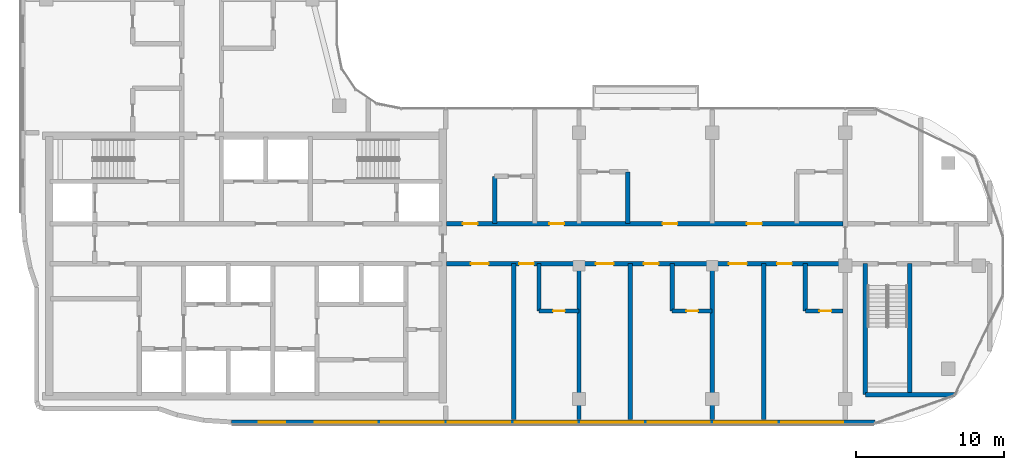
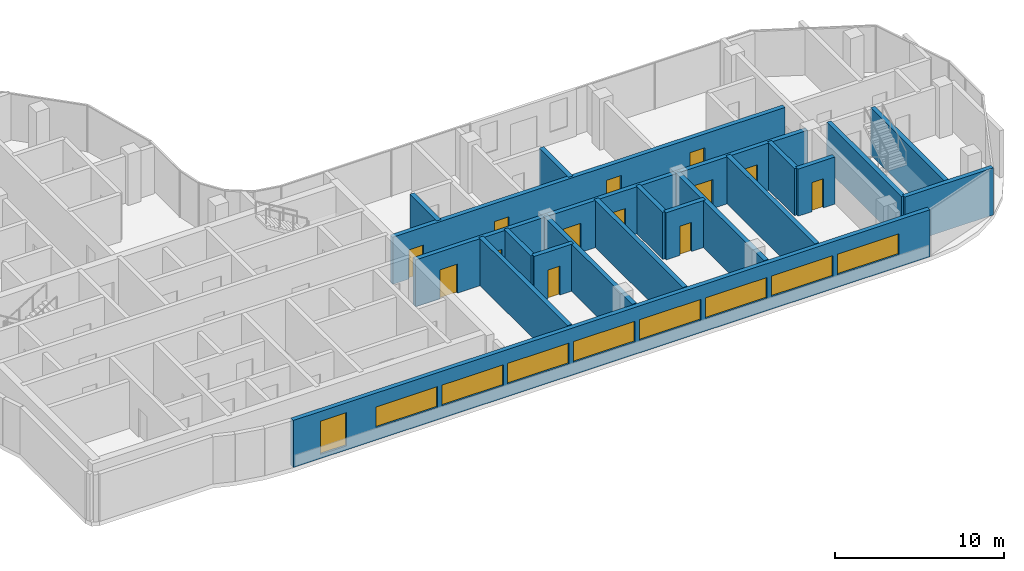
# One storey, part 11 of 19: 19 walls, 13 doors, 9 windows, 22 openings.
"""IFC4 building model written with IfcOpenShell, lengths in metres."""

from ifc_helpers import new_model, si_unit, direction, frame, frame_2d, origin, place, context, subcontext, project, spatial, rectangle, extrude, material, layer, layer_set, type_object, element, fill, save


model = new_model("IFC4")

# Units and contexts
model_context = context("Model", 3, precision=1e-05, world=origin(), true_north=direction((0.0, 1.0)))
body_context = subcontext(model_context, "Body", "Model", "MODEL_VIEW")
ifc_project = project(units=[si_unit("LENGTHUNIT", "METRE"), si_unit("AREAUNIT", "SQUARE_METRE"), si_unit("VOLUMEUNIT", "CUBIC_METRE"), si_unit("PLANEANGLEUNIT", "RADIAN"), si_unit("MASSUNIT", "GRAM", prefix="KILO")], contexts=[model_context])

# Site, building, storey
site_placement = place(None, origin())
site = spatial("IfcSite", under=ifc_project, at=site_placement, CompositionType="ELEMENT")
building_placement = place(site_placement, origin())
building = spatial("IfcBuilding", under=site, at=building_placement, Name="Ogive Portal Towers", CompositionType="ELEMENT")
storey_placement = place(building_placement, frame((0.0, 0.0, 199.5)))
storey = spatial("IfcBuildingStorey", under=building, at=storey_placement, Name="L49", CompositionType="ELEMENT", Elevation=199.5)

# Wall, openings, windows
ifc_material_1 = material(Name="Limestone cladding on lightweight block wall", Category="masonry")
ifc_layer_1 = layer(ifc_material_1, 0.300048828125)
ifc_layer_set_1 = layer_set([ifc_layer_1], Name="EXTERNAL WALL 300 STONE")
wall_type_1 = type_object("IfcWallType", Name="EXTERNAL WALL 300 STONE", PredefinedType="SOLIDWALL", material=ifc_layer_set_1)
wall_1_placement = place(storey_placement, frame((44.009765625, 19.93505859375, 0.0), z_axis=(0.0, 0.0, 1.0), x_axis=(1.0, 0.0, 0.0)))
wall_1 = element("IfcWall", 1, at=wall_1_placement, inside=storey, type_object=wall_type_1, Name="A:L49:f07:r0:wall", PredefinedType="SOLIDWALL", context=body_context, shape_type="SweptSolid", body=[
    extrude(rectangle(XDim=43.4765625, YDim=0.300048828125, at=frame_2d((21.73828125, 0.0))), origin(), (0.0, 0.0, 1.0), 3.39990234375),
])
opening_1_placement = place(wall_1_placement, frame((1.844970703125, 0.0, 0.300048828125)))
opening_1 = element("IfcOpeningElement", 2, at=opening_1_placement, cuts=wall_1, Name="Opening WN10", PredefinedType="OPENING", context=body_context, shape_type="SweptSolid", body=[
    extrude(rectangle(XDim=1.800048828125, YDim=2.39990234375, at=frame_2d((0.89990234375, 1.199951171875))), frame((0.0, 0.16015625, 0.0), z_axis=(0.0, -1.0, 0.0), x_axis=(1.0, 0.0, 0.0)), (0.0, 0.0, 1.0), 0.320068359375),
])
opening_2_placement = place(wall_1_placement, frame((5.64013671875, 0.0, 0.89990234375)))
opening_2 = element("IfcOpeningElement", 3, at=opening_2_placement, cuts=wall_1, Name="Opening WN11", PredefinedType="OPENING", context=body_context, shape_type="SweptSolid", body=[
    extrude(rectangle(XDim=4.199951171875, YDim=1.5, at=frame_2d((2.10009765625, 0.75))), frame((0.0, 0.16015625, 0.0), z_axis=(0.0, -1.0, 0.0), x_axis=(1.0, 0.0, 0.0)), (0.0, 0.0, 1.0), 0.320068359375),
])
opening_3_placement = place(wall_1_placement, frame((10.14013671875, 0.0, 0.89990234375)))
opening_3 = element("IfcOpeningElement", 4, at=opening_3_placement, cuts=wall_1, Name="Opening WN11", PredefinedType="OPENING", context=body_context, shape_type="SweptSolid", body=[
    extrude(rectangle(XDim=4.199951171875, YDim=1.5, at=frame_2d((2.10009765625, 0.75))), frame((0.0, 0.16015625, 0.0), z_axis=(0.0, -1.0, 0.0), x_axis=(1.0, 0.0, 0.0)), (0.0, 0.0, 1.0), 0.320068359375),
])
opening_4_placement = place(wall_1_placement, frame((14.64013671875, 0.0, 0.89990234375)))
opening_4 = element("IfcOpeningElement", 5, at=opening_4_placement, cuts=wall_1, Name="Opening WN11", PredefinedType="OPENING", context=body_context, shape_type="SweptSolid", body=[
    extrude(rectangle(XDim=4.199951171875, YDim=1.5, at=frame_2d((2.10009765625, 0.75))), frame((0.0, 0.16015625, 0.0), z_axis=(0.0, -1.0, 0.0), x_axis=(1.0, 0.0, 0.0)), (0.0, 0.0, 1.0), 0.320068359375),
])
opening_5_placement = place(wall_1_placement, frame((19.14013671875, 0.0, 0.89990234375)))
opening_5 = element("IfcOpeningElement", 6, at=opening_5_placement, cuts=wall_1, Name="Opening WN11", PredefinedType="OPENING", context=body_context, shape_type="SweptSolid", body=[
    extrude(rectangle(XDim=4.199951171875, YDim=1.5, at=frame_2d((2.10009765625, 0.75))), frame((0.0, 0.16015625, 0.0), z_axis=(0.0, -1.0, 0.0), x_axis=(1.0, 0.0, 0.0)), (0.0, 0.0, 1.0), 0.320068359375),
])
opening_6_placement = place(wall_1_placement, frame((23.64013671875, 0.0, 0.89990234375)))
opening_6 = element("IfcOpeningElement", 7, at=opening_6_placement, cuts=wall_1, Name="Opening WN11", PredefinedType="OPENING", context=body_context, shape_type="SweptSolid", body=[
    extrude(rectangle(XDim=4.199951171875, YDim=1.5, at=frame_2d((2.10009765625, 0.75))), frame((0.0, 0.16015625, 0.0), z_axis=(0.0, -1.0, 0.0), x_axis=(1.0, 0.0, 0.0)), (0.0, 0.0, 1.0), 0.320068359375),
])
opening_7_placement = place(wall_1_placement, frame((28.14013671875, 0.0, 0.89990234375)))
opening_7 = element("IfcOpeningElement", 8, at=opening_7_placement, cuts=wall_1, Name="Opening WN11", PredefinedType="OPENING", context=body_context, shape_type="SweptSolid", body=[
    extrude(rectangle(XDim=4.199951171875, YDim=1.5, at=frame_2d((2.10009765625, 0.75))), frame((0.0, 0.16015625, 0.0), z_axis=(0.0, -1.0, 0.0), x_axis=(1.0, 0.0, 0.0)), (0.0, 0.0, 1.0), 0.320068359375),
])
opening_8_placement = place(wall_1_placement, frame((32.64013671875, 0.0, 0.89990234375)))
opening_8 = element("IfcOpeningElement", 9, at=opening_8_placement, cuts=wall_1, Name="Opening WN11", PredefinedType="OPENING", context=body_context, shape_type="SweptSolid", body=[
    extrude(rectangle(XDim=4.199951171875, YDim=1.5, at=frame_2d((2.10009765625, 0.75))), frame((0.0, 0.16015625, 0.0), z_axis=(0.0, -1.0, 0.0), x_axis=(1.0, 0.0, 0.0)), (0.0, 0.0, 1.0), 0.320068359375),
])
opening_9_placement = place(wall_1_placement, frame((37.14013671875, 0.0, 0.89990234375)))
opening_9 = element("IfcOpeningElement", 10, at=opening_9_placement, cuts=wall_1, Name="Opening WN11", PredefinedType="OPENING", context=body_context, shape_type="SweptSolid", body=[
    extrude(rectangle(XDim=4.199951171875, YDim=1.5, at=frame_2d((2.10009765625, 0.75))), frame((0.0, 0.16015625, 0.0), z_axis=(0.0, -1.0, 0.0), x_axis=(1.0, 0.0, 0.0)), (0.0, 0.0, 1.0), 0.320068359375),
])
ifc_material_2 = material(Name="Glass, clear low-iron insulated glazing", Category="glass")
window_type_1 = type_object("IfcWindowType", Name="WINDOW RIBBON 4200x1500", PartitioningType="TRIPLE_PANEL_VERTICAL", PredefinedType="WINDOW", material=ifc_material_2)
window_1_placement = place(opening_2_placement, origin())
window_1 = element("IfcWindow", 11, at=window_1_placement, inside=storey, type_object=window_type_1, Name="A:L49:f07:r0:w1", OverallHeight=1.5, OverallWidth=4.199951171875, PartitioningType="SINGLE_PANEL", PredefinedType="WINDOW", context=body_context, shape_type="SweptSolid", body=[
    extrude(rectangle(XDim=4.199951171875, YDim=1.5, at=frame_2d((2.10009765625, 0.75))), frame((0.0, 0.030029296875, 0.0), z_axis=(0.0, -1.0, 0.0), x_axis=(1.0, 0.0, 0.0)), (0.0, 0.0, 1.0), 0.06005859375),
])
fill(opening_2, window_1)
window_2_placement = place(opening_3_placement, origin())
window_2 = element("IfcWindow", 12, at=window_2_placement, inside=storey, type_object=window_type_1, Name="A:L49:f07:r0:w2", OverallHeight=1.5, OverallWidth=4.199951171875, PartitioningType="SINGLE_PANEL", PredefinedType="WINDOW", context=body_context, shape_type="SweptSolid", body=[
    extrude(rectangle(XDim=4.199951171875, YDim=1.5, at=frame_2d((2.10009765625, 0.75))), frame((0.0, 0.030029296875, 0.0), z_axis=(0.0, -1.0, 0.0), x_axis=(1.0, 0.0, 0.0)), (0.0, 0.0, 1.0), 0.06005859375),
])
fill(opening_3, window_2)
window_3_placement = place(opening_4_placement, origin())
window_3 = element("IfcWindow", 13, at=window_3_placement, inside=storey, type_object=window_type_1, Name="A:L49:f07:r0:w3", OverallHeight=1.5, OverallWidth=4.199951171875, PartitioningType="SINGLE_PANEL", PredefinedType="WINDOW", context=body_context, shape_type="SweptSolid", body=[
    extrude(rectangle(XDim=4.199951171875, YDim=1.5, at=frame_2d((2.10009765625, 0.75))), frame((0.0, 0.030029296875, 0.0), z_axis=(0.0, -1.0, 0.0), x_axis=(1.0, 0.0, 0.0)), (0.0, 0.0, 1.0), 0.06005859375),
])
fill(opening_4, window_3)
window_4_placement = place(opening_5_placement, origin())
window_4 = element("IfcWindow", 14, at=window_4_placement, inside=storey, type_object=window_type_1, Name="A:L49:f07:r0:w4", OverallHeight=1.5, OverallWidth=4.199951171875, PartitioningType="SINGLE_PANEL", PredefinedType="WINDOW", context=body_context, shape_type="SweptSolid", body=[
    extrude(rectangle(XDim=4.199951171875, YDim=1.5, at=frame_2d((2.10009765625, 0.75))), frame((0.0, 0.030029296875, 0.0), z_axis=(0.0, -1.0, 0.0), x_axis=(1.0, 0.0, 0.0)), (0.0, 0.0, 1.0), 0.06005859375),
])
fill(opening_5, window_4)
window_5_placement = place(opening_6_placement, origin())
window_5 = element("IfcWindow", 15, at=window_5_placement, inside=storey, type_object=window_type_1, Name="A:L49:f07:r0:w5", OverallHeight=1.5, OverallWidth=4.199951171875, PartitioningType="SINGLE_PANEL", PredefinedType="WINDOW", context=body_context, shape_type="SweptSolid", body=[
    extrude(rectangle(XDim=4.199951171875, YDim=1.5, at=frame_2d((2.10009765625, 0.75))), frame((0.0, 0.030029296875, 0.0), z_axis=(0.0, -1.0, 0.0), x_axis=(1.0, 0.0, 0.0)), (0.0, 0.0, 1.0), 0.06005859375),
])
fill(opening_6, window_5)
window_6_placement = place(opening_7_placement, origin())
window_6 = element("IfcWindow", 16, at=window_6_placement, inside=storey, type_object=window_type_1, Name="A:L49:f07:r0:w6", OverallHeight=1.5, OverallWidth=4.199951171875, PartitioningType="SINGLE_PANEL", PredefinedType="WINDOW", context=body_context, shape_type="SweptSolid", body=[
    extrude(rectangle(XDim=4.199951171875, YDim=1.5, at=frame_2d((2.10009765625, 0.75))), frame((0.0, 0.030029296875, 0.0), z_axis=(0.0, -1.0, 0.0), x_axis=(1.0, 0.0, 0.0)), (0.0, 0.0, 1.0), 0.06005859375),
])
fill(opening_7, window_6)
window_7_placement = place(opening_8_placement, origin())
window_7 = element("IfcWindow", 17, at=window_7_placement, inside=storey, type_object=window_type_1, Name="A:L49:f07:r0:w7", OverallHeight=1.5, OverallWidth=4.199951171875, PartitioningType="SINGLE_PANEL", PredefinedType="WINDOW", context=body_context, shape_type="SweptSolid", body=[
    extrude(rectangle(XDim=4.199951171875, YDim=1.5, at=frame_2d((2.10009765625, 0.75))), frame((0.0, 0.030029296875, 0.0), z_axis=(0.0, -1.0, 0.0), x_axis=(1.0, 0.0, 0.0)), (0.0, 0.0, 1.0), 0.06005859375),
])
fill(opening_8, window_7)
window_8_placement = place(opening_9_placement, origin())
window_8 = element("IfcWindow", 18, at=window_8_placement, inside=storey, type_object=window_type_1, Name="A:L49:f07:r0:w8", OverallHeight=1.5, OverallWidth=4.199951171875, PartitioningType="SINGLE_PANEL", PredefinedType="WINDOW", context=body_context, shape_type="SweptSolid", body=[
    extrude(rectangle(XDim=4.199951171875, YDim=1.5, at=frame_2d((2.10009765625, 0.75))), frame((0.0, 0.030029296875, 0.0), z_axis=(0.0, -1.0, 0.0), x_axis=(1.0, 0.0, 0.0)), (0.0, 0.0, 1.0), 0.06005859375),
])
fill(opening_9, window_8)
window_type_2 = type_object("IfcWindowType", Name="WINDOW SUITE CORNER 1800x2400", PartitioningType="DOUBLE_PANEL_VERTICAL", PredefinedType="WINDOW", material=ifc_material_2)
window_9_placement = place(opening_1_placement, origin())
window_9 = element("IfcWindow", 19, at=window_9_placement, inside=storey, type_object=window_type_2, Name="A:L49:f07:r0:w0", OverallHeight=2.39990234375, OverallWidth=1.800048828125, PartitioningType="SINGLE_PANEL", PredefinedType="WINDOW", context=body_context, shape_type="SweptSolid", body=[
    extrude(rectangle(XDim=1.800048828125, YDim=2.39990234375, at=frame_2d((0.89990234375, 1.199951171875))), frame((0.0, 0.030029296875, 0.0), z_axis=(0.0, -1.0, 0.0), x_axis=(1.0, 0.0, 0.0)), (0.0, 0.0, 1.0), 0.06005859375),
])
fill(opening_1, window_9)

# Walls
ifc_material_3 = material(Name="Concrete C50/60", Category="concrete")
ifc_layer_2 = layer(ifc_material_3, 0.300048828125)
ifc_layer_set_2 = layer_set([ifc_layer_2], Name="STAIR WALL 300 C50")
wall_type_2 = type_object("IfcWallType", Name="STAIR WALL 300 C50", PredefinedType="SHEAR", material=ifc_layer_set_2)
wall_2_placement = place(storey_placement, frame((86.85009765625, 21.800048828125, 0.0), z_axis=(0.0, 0.0, 1.0), x_axis=(1.0, 0.0, 0.0)))
element("IfcWall", 20, at=wall_2_placement, inside=storey, type_object=wall_type_2, Name="Stair wall ST-A4 L49", PredefinedType="SHEAR", context=body_context, shape_type="SweptSolid", body=[
    extrude(rectangle(XDim=6.0458984375, YDim=0.300048828125, at=frame_2d((3.02294921875, 0.0))), origin(), (0.0, 0.0, 1.0), 3.39990234375),
])
for number, where, z_axis, x_axis, name in (
    (21, (86.85009765625, 21.800048828125, 0.0), (0.0, 0.0, 1.0), (0.0, 1.0, 0.0), "Stair wall ST-A4 L49"),
    (22, (89.85009765625, 21.800048828125, 0.0), (0.0, 0.0, 1.0), (0.0, 1.0, 0.0), "Stair wall ST-A4 L49"),
):
    element("IfcWall", number, at=place(storey_placement, frame(where, z_axis=z_axis, x_axis=x_axis)), inside=storey, type_object=wall_type_2, Name=name, PredefinedType="SHEAR", context=body_context, shape_type="SweptSolid", body=[
        extrude(rectangle(XDim=8.849853515625, YDim=0.300048828125, at=frame_2d((4.4248046875, 0.0))), origin(), (0.0, 0.0, 1.0), 3.39990234375),
    ])

# Wall, openings, doors
ifc_material_4 = material(Name="Gypsum board partition on steel studs", Category="steel")
ifc_layer_3 = layer(ifc_material_4, 0.300048828125)
ifc_layer_set_3 = layer_set([ifc_layer_3], Name="WT-PART-300-EI 120")
wall_type_3 = type_object("IfcWallType", Name="WT-PART-300-EI 120", PredefinedType="PARTITIONING", material=ifc_layer_set_3)
wall_3_placement = place(storey_placement, frame((58.550048828125, 30.64990234375, 0.0), z_axis=(0.0, 0.0, 1.0), x_axis=(1.0, 0.0, 0.0)))
wall_3 = element("IfcWall", 23, at=wall_3_placement, inside=storey, type_object=wall_type_3, Name="Wall L49:w005", PredefinedType="PARTITIONING", context=body_context, shape_type="SweptSolid", body=[
    extrude(rectangle(XDim=26.780029296875, YDim=0.300048828125, at=frame_2d((13.39013671875, 0.0))), origin(), (0.0, 0.0, 1.0), 3.39990234375),
])
opening_10_placement = place(wall_3_placement, frame((1.64990234375, 0.0, 0.0)))
opening_10 = element("IfcOpeningElement", 24, at=opening_10_placement, cuts=wall_3, Name="Opening D22-029", PredefinedType="OPENING", context=body_context, shape_type="SweptSolid", body=[
    extrude(rectangle(XDim=1.199951171875, YDim=2.10009765625, at=frame_2d((0.60009765625, 1.050048828125))), frame((0.0, 0.16015625, 0.0), z_axis=(0.0, -1.0, 0.0), x_axis=(1.0, 0.0, 0.0)), (0.0, 0.0, 1.0), 0.320068359375),
])
opening_11_placement = place(wall_3_placement, frame((4.89990234375, 0.0, 0.0)))
opening_11 = element("IfcOpeningElement", 25, at=opening_11_placement, cuts=wall_3, Name="Opening D22-031", PredefinedType="OPENING", context=body_context, shape_type="SweptSolid", body=[
    extrude(rectangle(XDim=1.0, YDim=2.10009765625, at=frame_2d((0.5, 1.050048828125))), frame((0.0, 0.16015625, 0.0), z_axis=(0.0, -1.0, 0.0), x_axis=(1.0, 0.0, 0.0)), (0.0, 0.0, 1.0), 0.320068359375),
])
opening_12_placement = place(wall_3_placement, frame((10.0849609375, 0.0, 0.0)))
opening_12 = element("IfcOpeningElement", 26, at=opening_12_placement, cuts=wall_3, Name="Opening D22-034", PredefinedType="OPENING", context=body_context, shape_type="SweptSolid", body=[
    extrude(rectangle(XDim=1.199951171875, YDim=2.10009765625, at=frame_2d((0.60009765625, 1.050048828125))), frame((0.0, 0.16015625, 0.0), z_axis=(0.0, -1.0, 0.0), x_axis=(1.0, 0.0, 0.0)), (0.0, 0.0, 1.0), 0.320068359375),
])
opening_13_placement = place(wall_3_placement, frame((13.3349609375, 0.0, 0.0)))
opening_13 = element("IfcOpeningElement", 27, at=opening_13_placement, cuts=wall_3, Name="Opening D22-036", PredefinedType="OPENING", context=body_context, shape_type="SweptSolid", body=[
    extrude(rectangle(XDim=1.0, YDim=2.10009765625, at=frame_2d((0.5, 1.050048828125))), frame((0.0, 0.16015625, 0.0), z_axis=(0.0, -1.0, 0.0), x_axis=(1.0, 0.0, 0.0)), (0.0, 0.0, 1.0), 0.320068359375),
])
opening_14_placement = place(wall_3_placement, frame((19.0849609375, 0.0, 0.0)))
opening_14 = element("IfcOpeningElement", 28, at=opening_14_placement, cuts=wall_3, Name="Opening D22-039", PredefinedType="OPENING", context=body_context, shape_type="SweptSolid", body=[
    extrude(rectangle(XDim=1.199951171875, YDim=2.10009765625, at=frame_2d((0.60009765625, 1.050048828125))), frame((0.0, 0.16015625, 0.0), z_axis=(0.0, -1.0, 0.0), x_axis=(1.0, 0.0, 0.0)), (0.0, 0.0, 1.0), 0.320068359375),
])
opening_15_placement = place(wall_3_placement, frame((22.3349609375, 0.0, 0.0)))
opening_15 = element("IfcOpeningElement", 29, at=opening_15_placement, cuts=wall_3, Name="Opening D22-041", PredefinedType="OPENING", context=body_context, shape_type="SweptSolid", body=[
    extrude(rectangle(XDim=1.0, YDim=2.10009765625, at=frame_2d((0.5, 1.050048828125))), frame((0.0, 0.16015625, 0.0), z_axis=(0.0, -1.0, 0.0), x_axis=(1.0, 0.0, 0.0)), (0.0, 0.0, 1.0), 0.320068359375),
])
ifc_material_5 = material(Name="Steel fire door", Category="steel")
door_type_1 = type_object("IfcDoorType", Name="DT-ENTRY-1000x2100-FD90S", OperationType="SINGLE_SWING_LEFT", PredefinedType="DOOR", material=ifc_material_5)
door_1_placement = place(opening_11_placement, origin())
door_1 = element("IfcDoor", 30, at=door_1_placement, inside=storey, type_object=door_type_1, Name="Door D22-031", OperationType="SINGLE_SWING_LEFT", OverallHeight=2.10009765625, OverallWidth=1.0, PredefinedType="DOOR", context=body_context, shape_type="SweptSolid", body=[
    extrude(rectangle(XDim=1.0, YDim=2.10009765625, at=frame_2d((0.5, 1.050048828125))), frame((0.0, 0.02490234375, 0.0), z_axis=(0.0, -1.0, 0.0), x_axis=(1.0, 0.0, 0.0)), (0.0, 0.0, 1.0), 0.050048828125),
])
fill(opening_11, door_1)
door_2_placement = place(opening_13_placement, origin())
door_2 = element("IfcDoor", 31, at=door_2_placement, inside=storey, type_object=door_type_1, Name="Door D22-036", OperationType="SINGLE_SWING_LEFT", OverallHeight=2.10009765625, OverallWidth=1.0, PredefinedType="DOOR", context=body_context, shape_type="SweptSolid", body=[
    extrude(rectangle(XDim=1.0, YDim=2.10009765625, at=frame_2d((0.5, 1.050048828125))), frame((0.0, 0.02490234375, 0.0), z_axis=(0.0, -1.0, 0.0), x_axis=(1.0, 0.0, 0.0)), (0.0, 0.0, 1.0), 0.050048828125),
])
fill(opening_13, door_2)
door_3_placement = place(opening_15_placement, origin())
door_3 = element("IfcDoor", 32, at=door_3_placement, inside=storey, type_object=door_type_1, Name="Door D22-041", OperationType="SINGLE_SWING_RIGHT", OverallHeight=2.10009765625, OverallWidth=1.0, PredefinedType="DOOR", context=body_context, shape_type="SweptSolid", body=[
    extrude(rectangle(XDim=1.0, YDim=2.10009765625, at=frame_2d((0.5, 1.050048828125))), frame((0.0, 0.02490234375, 0.0), z_axis=(0.0, -1.0, 0.0), x_axis=(1.0, 0.0, 0.0)), (0.0, 0.0, 1.0), 0.050048828125),
])
fill(opening_15, door_3)
door_type_2 = type_object("IfcDoorType", Name="DT-ENTRY-1200x2100-FD90S", OperationType="SINGLE_SWING_LEFT", PredefinedType="DOOR", material=ifc_material_5)
door_4_placement = place(opening_10_placement, origin())
door_4 = element("IfcDoor", 33, at=door_4_placement, inside=storey, type_object=door_type_2, Name="Door D22-029", OperationType="SINGLE_SWING_LEFT", OverallHeight=2.10009765625, OverallWidth=1.199951171875, PredefinedType="DOOR", context=body_context, shape_type="SweptSolid", body=[
    extrude(rectangle(XDim=1.199951171875, YDim=2.10009765625, at=frame_2d((0.60009765625, 1.050048828125))), frame((0.0, 0.02490234375, 0.0), z_axis=(0.0, -1.0, 0.0), x_axis=(1.0, 0.0, 0.0)), (0.0, 0.0, 1.0), 0.050048828125),
])
fill(opening_10, door_4)
door_5_placement = place(opening_12_placement, origin())
door_5 = element("IfcDoor", 34, at=door_5_placement, inside=storey, type_object=door_type_2, Name="Door D22-034", OperationType="SINGLE_SWING_RIGHT", OverallHeight=2.10009765625, OverallWidth=1.199951171875, PredefinedType="DOOR", context=body_context, shape_type="SweptSolid", body=[
    extrude(rectangle(XDim=1.199951171875, YDim=2.10009765625, at=frame_2d((0.60009765625, 1.050048828125))), frame((0.0, 0.02490234375, 0.0), z_axis=(0.0, -1.0, 0.0), x_axis=(1.0, 0.0, 0.0)), (0.0, 0.0, 1.0), 0.050048828125),
])
fill(opening_12, door_5)
door_6_placement = place(opening_14_placement, origin())
door_6 = element("IfcDoor", 35, at=door_6_placement, inside=storey, type_object=door_type_2, Name="Door D22-039", OperationType="SINGLE_SWING_LEFT", OverallHeight=2.10009765625, OverallWidth=1.199951171875, PredefinedType="DOOR", context=body_context, shape_type="SweptSolid", body=[
    extrude(rectangle(XDim=1.199951171875, YDim=2.10009765625, at=frame_2d((0.60009765625, 1.050048828125))), frame((0.0, 0.02490234375, 0.0), z_axis=(0.0, -1.0, 0.0), x_axis=(1.0, 0.0, 0.0)), (0.0, 0.0, 1.0), 0.050048828125),
])
fill(opening_14, door_6)

wall_4_placement = place(storey_placement, frame((58.550048828125, 33.35009765625, 0.0), z_axis=(0.0, 0.0, 1.0), x_axis=(1.0, 0.0, 0.0)))
wall_4 = element("IfcWall", 36, at=wall_4_placement, inside=storey, type_object=wall_type_3, Name="Wall L49:w007", PredefinedType="PARTITIONING", context=body_context, shape_type="SweptSolid", body=[
    extrude(rectangle(XDim=26.780029296875, YDim=0.300048828125, at=frame_2d((13.39013671875, 0.0))), origin(), (0.0, 0.0, 1.0), 3.39990234375),
])
opening_16_placement = place(wall_4_placement, frame((1.10009765625, 0.0, 0.0)))
opening_16 = element("IfcOpeningElement", 37, at=opening_16_placement, cuts=wall_4, Name="Opening D22-027", PredefinedType="OPENING", context=body_context, shape_type="SweptSolid", body=[
    extrude(rectangle(XDim=1.0, YDim=2.10009765625, at=frame_2d((0.5, 1.050048828125))), frame((0.0, 0.16015625, 0.0), z_axis=(0.0, -1.0, 0.0), x_axis=(1.0, 0.0, 0.0)), (0.0, 0.0, 1.0), 0.320068359375),
])
opening_17_placement = place(wall_4_placement, frame((6.949951171875, 0.0, 0.0)))
opening_17 = element("IfcOpeningElement", 38, at=opening_17_placement, cuts=wall_4, Name="Opening D22-028", PredefinedType="OPENING", context=body_context, shape_type="SweptSolid", body=[
    extrude(rectangle(XDim=1.0, YDim=2.10009765625, at=frame_2d((0.5, 1.050048828125))), frame((0.0, 0.16015625, 0.0), z_axis=(0.0, -1.0, 0.0), x_axis=(1.0, 0.0, 0.0)), (0.0, 0.0, 1.0), 0.320068359375),
])
opening_18_placement = place(wall_4_placement, frame((14.60009765625, 0.0, 0.0)))
opening_18 = element("IfcOpeningElement", 39, at=opening_18_placement, cuts=wall_4, Name="Opening D22-033", PredefinedType="OPENING", context=body_context, shape_type="SweptSolid", body=[
    extrude(rectangle(XDim=1.0, YDim=2.39990234375, at=frame_2d((0.5, 1.199951171875))), frame((0.0, 0.16015625, 0.0), z_axis=(0.0, -1.0, 0.0), x_axis=(1.0, 0.0, 0.0)), (0.0, 0.0, 1.0), 0.320068359375),
])
opening_19_placement = place(wall_4_placement, frame((20.300048828125, 0.0, 0.0)))
opening_19 = element("IfcOpeningElement", 40, at=opening_19_placement, cuts=wall_4, Name="Opening D22-038", PredefinedType="OPENING", context=body_context, shape_type="SweptSolid", body=[
    extrude(rectangle(XDim=1.0, YDim=2.39990234375, at=frame_2d((0.5, 1.199951171875))), frame((0.0, 0.16015625, 0.0), z_axis=(0.0, -1.0, 0.0), x_axis=(1.0, 0.0, 0.0)), (0.0, 0.0, 1.0), 0.320068359375),
])
door_7_placement = place(opening_16_placement, origin())
door_7 = element("IfcDoor", 41, at=door_7_placement, inside=storey, type_object=door_type_1, Name="Door D22-027", OperationType="SINGLE_SWING_LEFT", OverallHeight=2.10009765625, OverallWidth=1.0, PredefinedType="DOOR", context=body_context, shape_type="SweptSolid", body=[
    extrude(rectangle(XDim=1.0, YDim=2.10009765625, at=frame_2d((0.5, 1.050048828125))), frame((0.0, 0.02490234375, 0.0), z_axis=(0.0, -1.0, 0.0), x_axis=(1.0, 0.0, 0.0)), (0.0, 0.0, 1.0), 0.050048828125),
])
fill(opening_16, door_7)
door_8_placement = place(opening_17_placement, origin())
door_8 = element("IfcDoor", 42, at=door_8_placement, inside=storey, type_object=door_type_1, Name="Door D22-028", OperationType="SINGLE_SWING_RIGHT", OverallHeight=2.10009765625, OverallWidth=1.0, PredefinedType="DOOR", context=body_context, shape_type="SweptSolid", body=[
    extrude(rectangle(XDim=1.0, YDim=2.10009765625, at=frame_2d((0.5, 1.050048828125))), frame((0.0, 0.02490234375, 0.0), z_axis=(0.0, -1.0, 0.0), x_axis=(1.0, 0.0, 0.0)), (0.0, 0.0, 1.0), 0.050048828125),
])
fill(opening_17, door_8)
door_type_3 = type_object("IfcDoorType", Name="DT-ENTRY-1000x2400-FD90S", OperationType="SINGLE_SWING_LEFT", PredefinedType="DOOR", material=ifc_material_5)
door_9_placement = place(opening_18_placement, origin())
door_9 = element("IfcDoor", 43, at=door_9_placement, inside=storey, type_object=door_type_3, Name="Door D22-033", OperationType="SINGLE_SWING_LEFT", OverallHeight=2.39990234375, OverallWidth=1.0, PredefinedType="DOOR", context=body_context, shape_type="SweptSolid", body=[
    extrude(rectangle(XDim=1.0, YDim=2.39990234375, at=frame_2d((0.5, 1.199951171875))), frame((0.0, 0.02490234375, 0.0), z_axis=(0.0, -1.0, 0.0), x_axis=(1.0, 0.0, 0.0)), (0.0, 0.0, 1.0), 0.050048828125),
])
fill(opening_18, door_9)
door_10_placement = place(opening_19_placement, origin())
door_10 = element("IfcDoor", 44, at=door_10_placement, inside=storey, type_object=door_type_3, Name="Door D22-038", OperationType="SINGLE_SWING_RIGHT", OverallHeight=2.39990234375, OverallWidth=1.0, PredefinedType="DOOR", context=body_context, shape_type="SweptSolid", body=[
    extrude(rectangle(XDim=1.0, YDim=2.39990234375, at=frame_2d((0.5, 1.199951171875))), frame((0.0, 0.02490234375, 0.0), z_axis=(0.0, -1.0, 0.0), x_axis=(1.0, 0.0, 0.0)), (0.0, 0.0, 1.0), 0.050048828125),
])
fill(opening_19, door_10)

# Wall, opening, door
ifc_layer_4 = layer(ifc_material_4, 0.300048828125)
ifc_layer_set_4 = layer_set([ifc_layer_4], Name="WT-PART-300-EI 60")
wall_type_4 = type_object("IfcWallType", Name="WT-PART-300-EI 60", PredefinedType="PARTITIONING", material=ifc_layer_set_4)
wall_5_placement = place(storey_placement, frame((64.800048828125, 27.449951171875, 0.0), z_axis=(0.0, 0.0, 1.0), x_axis=(1.0, 0.0, 0.0)))
wall_5 = element("IfcWall", 45, at=wall_5_placement, inside=storey, type_object=wall_type_4, Name="Wall L49:w002", PredefinedType="PARTITIONING", context=body_context, shape_type="SweptSolid", body=[
    extrude(rectangle(XDim=2.699951171875, YDim=0.300048828125, at=frame_2d((1.35009765625, 0.0))), origin(), (0.0, 0.0, 1.0), 3.39990234375),
])
opening_20_placement = place(wall_5_placement, frame((0.949951171875, 0.0, 0.0)))
opening_20 = element("IfcOpeningElement", 46, at=opening_20_placement, cuts=wall_5, Name="Opening D22-030", PredefinedType="OPENING", context=body_context, shape_type="SweptSolid", body=[
    extrude(rectangle(XDim=0.800048828125, YDim=2.10009765625, at=frame_2d((0.39990234375, 1.050048828125))), frame((0.0, 0.16015625, 0.0), z_axis=(0.0, -1.0, 0.0), x_axis=(1.0, 0.0, 0.0)), (0.0, 0.0, 1.0), 0.320068359375),
])
door_type_4 = type_object("IfcDoorType", Name="DT-BATH-800x2100-FD60S", OperationType="SINGLE_SWING_LEFT", PredefinedType="DOOR", material=ifc_material_5)
door_11_placement = place(opening_20_placement, origin())
door_11 = element("IfcDoor", 47, at=door_11_placement, inside=storey, type_object=door_type_4, Name="Door D22-030", OperationType="SINGLE_SWING_RIGHT", OverallHeight=2.10009765625, OverallWidth=0.800048828125, PredefinedType="DOOR", context=body_context, shape_type="SweptSolid", body=[
    extrude(rectangle(XDim=0.800048828125, YDim=2.10009765625, at=frame_2d((0.39990234375, 1.050048828125))), frame((0.0, 0.02490234375, 0.0), z_axis=(0.0, -1.0, 0.0), x_axis=(1.0, 0.0, 0.0)), (0.0, 0.0, 1.0), 0.050048828125),
])
fill(opening_20, door_11)

wall_6_placement = place(storey_placement, frame((73.800048828125, 27.449951171875, 0.0), z_axis=(0.0, 0.0, 1.0), x_axis=(1.0, 0.0, 0.0)))
wall_6 = element("IfcWall", 48, at=wall_6_placement, inside=storey, type_object=wall_type_4, Name="Wall L49:w003", PredefinedType="PARTITIONING", context=body_context, shape_type="SweptSolid", body=[
    extrude(rectangle(XDim=2.699951171875, YDim=0.300048828125, at=frame_2d((1.35009765625, 0.0))), origin(), (0.0, 0.0, 1.0), 3.39990234375),
])
opening_21_placement = place(wall_6_placement, frame((0.949951171875, 0.0, 0.0)))
opening_21 = element("IfcOpeningElement", 49, at=opening_21_placement, cuts=wall_6, Name="Opening D22-035", PredefinedType="OPENING", context=body_context, shape_type="SweptSolid", body=[
    extrude(rectangle(XDim=0.800048828125, YDim=2.10009765625, at=frame_2d((0.39990234375, 1.050048828125))), frame((0.0, 0.16015625, 0.0), z_axis=(0.0, -1.0, 0.0), x_axis=(1.0, 0.0, 0.0)), (0.0, 0.0, 1.0), 0.320068359375),
])
door_12_placement = place(opening_21_placement, origin())
door_12 = element("IfcDoor", 50, at=door_12_placement, inside=storey, type_object=door_type_4, Name="Door D22-035", OperationType="SINGLE_SWING_LEFT", OverallHeight=2.10009765625, OverallWidth=0.800048828125, PredefinedType="DOOR", context=body_context, shape_type="SweptSolid", body=[
    extrude(rectangle(XDim=0.800048828125, YDim=2.10009765625, at=frame_2d((0.39990234375, 1.050048828125))), frame((0.0, 0.02490234375, 0.0), z_axis=(0.0, -1.0, 0.0), x_axis=(1.0, 0.0, 0.0)), (0.0, 0.0, 1.0), 0.050048828125),
])
fill(opening_21, door_12)

wall_7_placement = place(storey_placement, frame((82.800048828125, 27.449951171875, 0.0), z_axis=(0.0, 0.0, 1.0), x_axis=(1.0, 0.0, 0.0)))
wall_7 = element("IfcWall", 51, at=wall_7_placement, inside=storey, type_object=wall_type_4, Name="Wall L49:w004", PredefinedType="PARTITIONING", context=body_context, shape_type="SweptSolid", body=[
    extrude(rectangle(XDim=2.530029296875, YDim=0.300048828125, at=frame_2d((1.26513671875, 0.0))), origin(), (0.0, 0.0, 1.0), 3.39990234375),
])
opening_22_placement = place(wall_7_placement, frame((0.949951171875, 0.0, 0.0)))
opening_22 = element("IfcOpeningElement", 52, at=opening_22_placement, cuts=wall_7, Name="Opening D22-040", PredefinedType="OPENING", context=body_context, shape_type="SweptSolid", body=[
    extrude(rectangle(XDim=0.800048828125, YDim=2.10009765625, at=frame_2d((0.39990234375, 1.050048828125))), frame((0.0, 0.16015625, 0.0), z_axis=(0.0, -1.0, 0.0), x_axis=(1.0, 0.0, 0.0)), (0.0, 0.0, 1.0), 0.320068359375),
])
door_13_placement = place(opening_22_placement, origin())
door_13 = element("IfcDoor", 53, at=door_13_placement, inside=storey, type_object=door_type_4, Name="Door D22-040", OperationType="SINGLE_SWING_LEFT", OverallHeight=2.10009765625, OverallWidth=0.800048828125, PredefinedType="DOOR", context=body_context, shape_type="SweptSolid", body=[
    extrude(rectangle(XDim=0.800048828125, YDim=2.10009765625, at=frame_2d((0.39990234375, 1.050048828125))), frame((0.0, 0.02490234375, 0.0), z_axis=(0.0, -1.0, 0.0), x_axis=(1.0, 0.0, 0.0)), (0.0, 0.0, 1.0), 0.050048828125),
])
fill(opening_22, door_13)

# Walls
wall_8_placement = place(storey_placement, frame((61.800048828125, 33.35009765625, 0.0), z_axis=(0.0, 0.0, 1.0), x_axis=(0.0, 1.0, 0.0)))
element("IfcWall", 54, at=wall_8_placement, inside=storey, type_object=wall_type_4, Name="Wall L49:w036", PredefinedType="PARTITIONING", context=body_context, shape_type="SweptSolid", body=[
    extrude(rectangle(XDim=3.199951171875, YDim=0.300048828125, at=frame_2d((1.60009765625, 0.0))), origin(), (0.0, 0.0, 1.0), 3.39990234375),
])
wall_9_placement = place(storey_placement, frame((63.10009765625, 20.135009765625, 0.0), z_axis=(0.0, 0.0, 1.0), x_axis=(0.0, 1.0, 0.0)))
element("IfcWall", 55, at=wall_9_placement, inside=storey, type_object=wall_type_4, Name="Wall L49:w037", PredefinedType="PARTITIONING", context=body_context, shape_type="SweptSolid", body=[
    extrude(rectangle(XDim=10.514892578125, YDim=0.300048828125, at=frame_2d((5.25732421875, 0.0))), origin(), (0.0, 0.0, 1.0), 3.39990234375),
])
wall_10_placement = place(storey_placement, frame((64.800048828125, 27.449951171875, 0.0), z_axis=(0.0, 0.0, 1.0), x_axis=(0.0, 1.0, 0.0)))
element("IfcWall", 56, at=wall_10_placement, inside=storey, type_object=wall_type_4, Name="Wall L49:w039", PredefinedType="PARTITIONING", context=body_context, shape_type="SweptSolid", body=[
    extrude(rectangle(XDim=3.199951171875, YDim=0.300048828125, at=frame_2d((1.60009765625, 0.0))), origin(), (0.0, 0.0, 1.0), 3.39990234375),
])
wall_11_placement = place(storey_placement, frame((67.5, 20.135009765625, 0.0), z_axis=(0.0, 0.0, 1.0), x_axis=(0.0, 1.0, 0.0)))
element("IfcWall", 57, at=wall_11_placement, inside=storey, type_object=wall_type_4, Name="Wall L49:w040", PredefinedType="PARTITIONING", context=body_context, shape_type="SweptSolid", body=[
    extrude(rectangle(XDim=10.514892578125, YDim=0.300048828125, at=frame_2d((5.25732421875, 0.0))), origin(), (0.0, 0.0, 1.0), 3.39990234375),
])
wall_12_placement = place(storey_placement, frame((70.800048828125, 33.35009765625, 0.0), z_axis=(0.0, 0.0, 1.0), x_axis=(0.0, 1.0, 0.0)))
element("IfcWall", 58, at=wall_12_placement, inside=storey, type_object=wall_type_4, Name="Wall L49:w042", PredefinedType="PARTITIONING", context=body_context, shape_type="SweptSolid", body=[
    extrude(rectangle(XDim=3.5, YDim=0.300048828125, at=frame_2d((1.75, 0.0))), origin(), (0.0, 0.0, 1.0), 3.39990234375),
])
wall_13_placement = place(storey_placement, frame((70.969970703125, 20.135009765625, 0.0), z_axis=(0.0, 0.0, 1.0), x_axis=(0.0, 1.0, 0.0)))
element("IfcWall", 59, at=wall_13_placement, inside=storey, type_object=wall_type_4, Name="Wall L49:w043", PredefinedType="PARTITIONING", context=body_context, shape_type="SweptSolid", body=[
    extrude(rectangle(XDim=10.514892578125, YDim=0.300048828125, at=frame_2d((5.25732421875, 0.0))), origin(), (0.0, 0.0, 1.0), 3.39990234375),
])
wall_14_placement = place(storey_placement, frame((73.800048828125, 27.449951171875, 0.0), z_axis=(0.0, 0.0, 1.0), x_axis=(0.0, 1.0, 0.0)))
element("IfcWall", 60, at=wall_14_placement, inside=storey, type_object=wall_type_4, Name="Wall L49:w044", PredefinedType="PARTITIONING", context=body_context, shape_type="SweptSolid", body=[
    extrude(rectangle(XDim=3.199951171875, YDim=0.300048828125, at=frame_2d((1.60009765625, 0.0))), origin(), (0.0, 0.0, 1.0), 3.39990234375),
])
for number, where, z_axis, x_axis, name in (
    (61, (76.5, 20.135009765625, 0.0), (0.0, 0.0, 1.0), (0.0, 1.0, 0.0), "Wall L49:w045"),
    (62, (79.969970703125, 20.135009765625, 0.0), (0.0, 0.0, 1.0), (0.0, 1.0, 0.0), "Wall L49:w047"),
):
    element("IfcWall", number, at=place(storey_placement, frame(where, z_axis=z_axis, x_axis=x_axis)), inside=storey, type_object=wall_type_4, Name=name, PredefinedType="PARTITIONING", context=body_context, shape_type="SweptSolid", body=[
        extrude(rectangle(XDim=10.514892578125, YDim=0.300048828125, at=frame_2d((5.25732421875, 0.0))), origin(), (0.0, 0.0, 1.0), 3.39990234375),
    ])
wall_15_placement = place(storey_placement, frame((82.800048828125, 27.449951171875, 0.0), z_axis=(0.0, 0.0, 1.0), x_axis=(0.0, 1.0, 0.0)))
element("IfcWall", 63, at=wall_15_placement, inside=storey, type_object=wall_type_4, Name="Wall L49:w049", PredefinedType="PARTITIONING", context=body_context, shape_type="SweptSolid", body=[
    extrude(rectangle(XDim=3.199951171875, YDim=0.300048828125, at=frame_2d((1.60009765625, 0.0))), origin(), (0.0, 0.0, 1.0), 3.39990234375),
])

save(model, "model.ifc")
